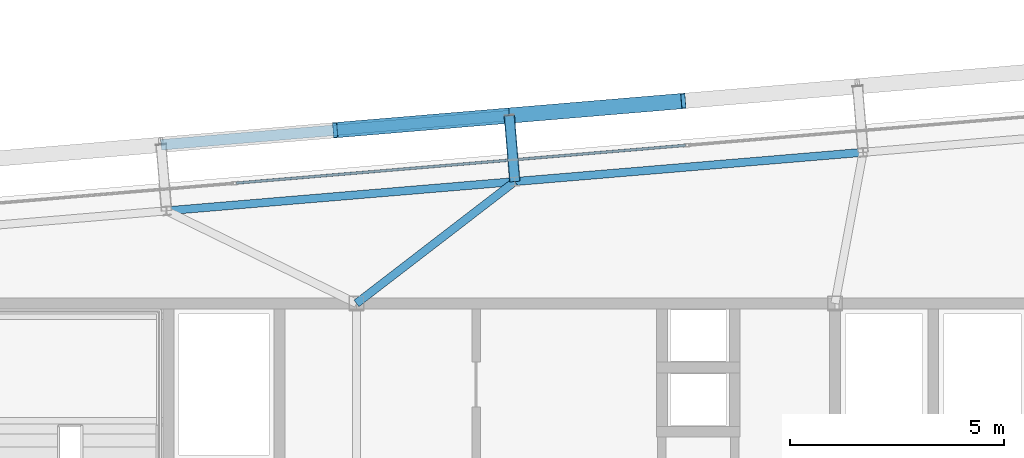
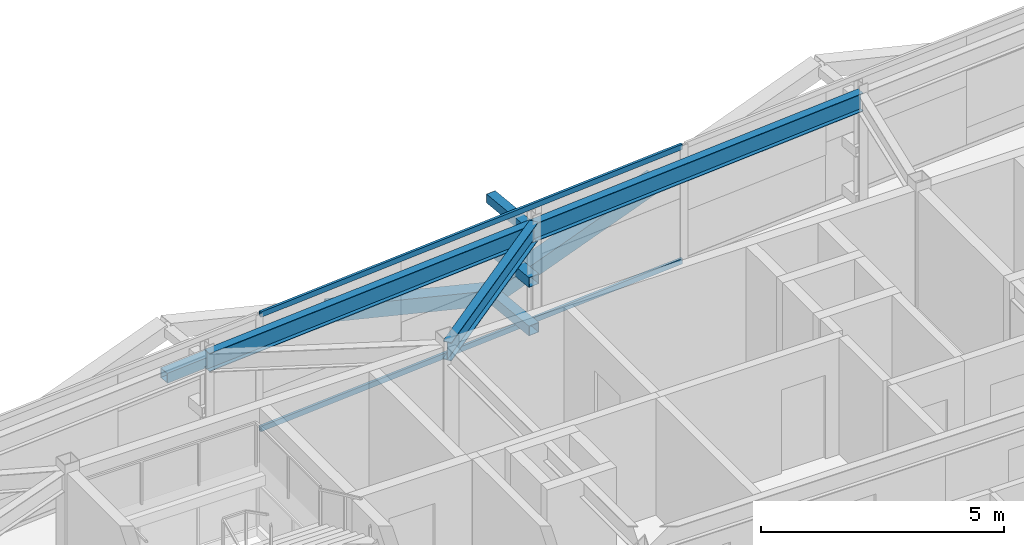
# One storey, part 22 of 39: 8 members, 3 beams, 1 element without a shape of its own.
"""IFC4 building model written with IfcOpenShell, lengths in metres."""

from ifc_helpers import new_model, si_unit, direction, frame, origin, origin_2d, place, context, subcontext, project, spatial, hollow_rectangle, i_section, extrude, source, transform, mapped, material, layer, layer_set, material_profile, profile_set, type_object, element, aggregate, save


model = new_model("IFC4")

# Units and contexts
model_context = context("Model", 3, precision=1e-05, world=origin(), true_north=direction((0.0, 1.0)))
body_context = subcontext(model_context, "Body", "Model", "MODEL_VIEW")
ifc_project = project(units=[si_unit("LENGTHUNIT", "METRE"), si_unit("AREAUNIT", "SQUARE_METRE"), si_unit("VOLUMEUNIT", "CUBIC_METRE"), si_unit("PLANEANGLEUNIT", "RADIAN"), si_unit("MASSUNIT", "GRAM", prefix="KILO")], contexts=[model_context])

# Site, building, storey
site_placement = place(None, origin())
site = spatial("IfcSite", under=ifc_project, at=site_placement, CompositionType="ELEMENT")
building_placement = place(site_placement, origin())
building = spatial("IfcBuilding", under=site, at=building_placement, Name="Taldren Reach Tower", CompositionType="ELEMENT")
storey_placement = place(building_placement, frame((0.0, 0.0, 178.85009765625)))
storey = spatial("IfcBuildingStorey", under=building, at=storey_placement, Name="L54", CompositionType="ELEMENT", Elevation=178.85009765625)

# Members
ifc_material_1 = material(Name="Steel Gr 350 (C350L0)", Category="steel")
ifc_material_profile_1 = material_profile(ifc_material_1, hollow_rectangle(XDim=0.25, YDim=0.25, WallThickness=0.010009765625, at=origin_2d()), Name="250x250x10.0SHS")
ifc_profile_set_1 = profile_set([ifc_material_profile_1], Name="Steel Gr 350 (C350L0)")
member_type_1 = type_object("IfcMemberType", Name="MB-POST250", PredefinedType="POST", material=ifc_profile_set_1)
shared_shape_1 = source(origin(), body_context, "Body", "SweptSolid", [
    extrude(hollow_rectangle(XDim=0.25, YDim=0.25, WallThickness=0.010009765625, at=origin_2d()), origin(), (0.0, 0.0, 1.0), 1.5498046875),
])
for number, where, z_axis, x_axis, name in (
    (1, (31.706298828125, 34.8525390625, 0.219970703125), (-0.083645141657, 0.996495604746, 0.0), (-0.996495604746, -0.083645141657, 0.0), "Exoskeleton base diaphragm tie strut B4-N3 L54"),
    (2, (31.706298828125, 34.8525390625, 1.434814453125), (-0.083645141657, 0.996495604746, 0.0), (-0.996495604746, -0.083645141657, 0.0), "Exoskeleton mid-tier diaphragm tie B4-N3 L54"),
):
    element("IfcMember", number, at=place(storey_placement, frame(where, z_axis=z_axis, x_axis=x_axis)), inside=storey, type_object=member_type_1, Name=name, PredefinedType="POST", context=body_context, shape_type="MappedRepresentation", body=[
        mapped(shared_shape_1, transform((0.0, 0.0, 0.0), scale=1.0)),
    ])

# Beams
ifc_material_2 = material(Name="Steel Gr 350 (350PLUS)", Category="steel")
ifc_material_profile_2 = material_profile(ifc_material_2, i_section(OverallWidth=0.18994140625, OverallDepth=0.4541015625, WebThickness=0.008544921875, FlangeThickness=0.0126953125, at=origin_2d()), Name="460UB67.1")
ifc_profile_set_2 = profile_set([ifc_material_profile_2], Name="Steel Gr 350 (350PLUS)")
beam_type_1 = type_object("IfcBeamType", Name="SP-UB460B", PredefinedType="SPANDREL", material=ifc_profile_set_2)
shared_shape_2 = source(origin(), body_context, "Body", "SweptSolid", [
    extrude(i_section(OverallWidth=0.18994140625, OverallDepth=0.4541015625, WebThickness=0.008544921875, FlangeThickness=0.0126953125, at=origin_2d()), origin(), (0.0, 0.0, 1.0), 8.18017578125),
])
beam_1_placement = place(storey_placement, frame((39.857666015625, 35.537109375, 2.702880859375), z_axis=(-0.996492034688, -0.083687662192, 0.0), x_axis=(0.083687662192, -0.996492034688, 0.0)))
element("IfcBeam", 3, at=beam_1_placement, inside=storey, type_object=beam_type_1, Name="Perimeter spandrel B4 N4-N3 L54", PredefinedType="SPANDREL", context=body_context, shape_type="MappedRepresentation", body=[
    mapped(shared_shape_2, transform((0.0, 0.0, 0.0), scale=1.0)),
])
shared_shape_3 = source(origin(), body_context, "Body", "SweptSolid", [
    extrude(i_section(OverallWidth=0.18994140625, OverallDepth=0.4541015625, WebThickness=0.008544921875, FlangeThickness=0.0126953125, at=origin_2d()), origin(), (0.0, 0.0, 1.0), 8.179931640625),
])
beam_2_placement = place(storey_placement, frame((31.706298828125, 34.8525390625, 2.702880859375), z_axis=(-0.99649182565, -0.08369015123, 0.0), x_axis=(0.08369015123, -0.99649182565, 0.0)))
element("IfcBeam", 4, at=beam_2_placement, inside=storey, type_object=beam_type_1, Name="Perimeter spandrel B4 N3-N2 L54", PredefinedType="SPANDREL", context=body_context, shape_type="MappedRepresentation", body=[
    mapped(shared_shape_3, transform((0.0, 0.0, 0.0), scale=1.0)),
])
ifc_material_profile_3 = material_profile(ifc_material_2, i_section(OverallWidth=0.19091796875, OverallDepth=0.4599609375, WebThickness=0.010009765625, FlangeThickness=0.01611328125, at=origin_2d()), Name="460UB82.1")
ifc_profile_set_3 = profile_set([ifc_material_profile_3], Name="Steel Gr 350 (350PLUS)")
beam_type_2 = type_object("IfcBeamType", Name="BM-UB460A", PredefinedType="BEAM", material=ifc_profile_set_3)
shared_shape_4 = source(origin(), body_context, "Body", "SweptSolid", [
    extrude(i_section(OverallWidth=0.19091796875, OverallDepth=0.4599609375, WebThickness=0.010009765625, FlangeThickness=0.01611328125, at=origin_2d()), origin(), (0.0, 0.0, 1.0), 4.677001953125),
])
beam_3_placement = place(storey_placement, frame((28.0, 32.0, 2.699951171875), z_axis=(0.792464836093, 0.609917603907, 0.0), x_axis=(-0.609917603907, 0.792464836093, 0.0)))
element("IfcBeam", 5, at=beam_3_placement, inside=storey, type_object=beam_type_2, Name="Primary floor girder B4-N3 L54", PredefinedType="BEAM", context=body_context, shape_type="MappedRepresentation", body=[
    mapped(shared_shape_4, transform((0.0, 0.0, 0.0), scale=1.0)),
])

# Members
ifc_material_3 = material(Name="Steel Gr 450 (C450L0)", Category="steel")
ifc_material_profile_4 = material_profile(ifc_material_3, hollow_rectangle(XDim=0.219970703125, YDim=0.219970703125, WallThickness=0.00830078125, at=origin_2d()), Name="220x220x8.2SHS")
ifc_profile_set_4 = profile_set([ifc_material_profile_4], Name="Steel Gr 450 (C450L0)")
member_type_2 = type_object("IfcMemberType", Name="MB-TIE219", PredefinedType="STRUT", material=ifc_profile_set_4)
shared_shape_5 = source(origin(), body_context, "Body", "SweptSolid", [
    extrude(hollow_rectangle(XDim=0.219970703125, YDim=0.219970703125, WallThickness=0.00830078125, at=origin_2d()), origin(), (0.0, 0.0, 1.0), 1.5498046875),
])
member_1_placement = place(storey_placement, frame((31.706298828125, 34.8525390625, 2.64990234375), z_axis=(-0.083645141657, 0.996495604746, 0.0), x_axis=(-0.996495604746, -0.083645141657, 0.0)))
element("IfcMember", 6, at=member_1_placement, inside=storey, type_object=member_type_2, Name="Exoskeleton diaphragm tie strut B4-N3 L54", PredefinedType="STRUT", context=body_context, shape_type="MappedRepresentation", body=[
    mapped(shared_shape_5, transform((0.0, 0.0, 0.0), scale=1.0)),
])
shared_shape_6 = source(origin(), body_context, "Body", "SweptSolid", [
    extrude(hollow_rectangle(XDim=0.25, YDim=0.25, WallThickness=0.010009765625, at=origin_2d()), origin(), (0.0, 0.0, 1.0), 8.179931640625),
])
member_2_placement = place(storey_placement, frame((23.42529296875, 35.712646484375, 1.434814453125), z_axis=(0.996494523218, 0.083658025296, 0.0), x_axis=(-0.083658025296, 0.996494523218, 0.0)))
element("IfcMember", 7, at=member_2_placement, inside=storey, type_object=member_type_1, Name="Exoskeleton mid-height ring chord B4-N2 L54", PredefinedType="POST", context=body_context, shape_type="MappedRepresentation", body=[
    mapped(shared_shape_6, transform((0.0, 0.0, 0.0), scale=1.0)),
])
ifc_material_profile_5 = material_profile(ifc_material_3, hollow_rectangle(XDim=0.360107421875, YDim=0.360107421875, WallThickness=0.0126953125, at=origin_2d()), Name="360x360x12.7SHS")
ifc_profile_set_5 = profile_set([ifc_material_profile_5], Name="Steel Gr 450 (C450L0)")
member_type_3 = type_object("IfcMemberType", Name="MB-EXO356", PredefinedType="BRACE", material=ifc_profile_set_5)
shared_shape_7 = source(origin(), body_context, "Body", "SweptSolid", [
    extrude(hollow_rectangle(XDim=0.360107421875, YDim=0.360107421875, WallThickness=0.0126953125, at=origin_2d()), origin(), (0.0, 0.0, 1.0), 4.2666015625),
])
for number, where, z_axis, x_axis, name in (
    (8, (31.57666015625, 36.39697265625, 0.219970703125), (-0.955249107127, -0.080166766448, 0.284732212595), (0.083628388178, -0.996497010879, 0.0), "Exoskeleton Diagrid Brace B4-N2 L54"),
    (9, (31.57666015625, 36.39697265625, 0.219970703125), (0.955244723646, 0.080223619417, 0.284730906006), (-0.083687662192, 0.996492034688, 0.0), "Exoskeleton Diagrid Brace B4-N3 L54"),
):
    element("IfcMember", number, at=place(storey_placement, frame(where, z_axis=z_axis, x_axis=x_axis)), inside=storey, type_object=member_type_3, Name=name, PredefinedType="BRACE", context=body_context, shape_type="MappedRepresentation", body=[
        mapped(shared_shape_7, transform((0.0, 0.0, 0.0), scale=1.0)),
    ])

# Curtain wall, members
ifc_material_4 = material(Name="Aluminium and Low-E Glass Unitised System", Category="aluminium")
ifc_layer = layer(ifc_material_4, 0.159912109375)
ifc_layer_set = layer_set([ifc_layer], Name="Aluminium and Low-E Glass Unitised System")
curtain_wall_type = type_object("IfcCurtainWallType", Name="CW-SYS-5", PredefinedType="NOTDEFINED", material=ifc_layer_set)
curtain_wall_placement = place(storey_placement, origin())
curtain_wall = element("IfcCurtainWall", 10, at=curtain_wall_placement, inside=storey, type_object=curtain_wall_type, Name="Unitised curtain wall CW-L54-N", PredefinedType="NOTDEFINED")
ifc_material_5 = material(Name="Anodised Aluminium 6063-T6", Category="aluminium")
ifc_material_profile_6 = material_profile(ifc_material_5, hollow_rectangle(XDim=0.06005859375, YDim=0.135009765625, WallThickness=0.00341796875, at=origin_2d()), Name="ALU-135x60x3.5RHS")
ifc_profile_set_6 = profile_set([ifc_material_profile_6], Name="Anodised Aluminium 6063-T6")
member_type_4 = type_object("IfcMemberType", Name="CW-TRN-150", PredefinedType="USERDEFINED", material=ifc_profile_set_6)
shared_shape_8 = source(origin(), body_context, "Body", "SweptSolid", [
    extrude(hollow_rectangle(XDim=0.06005859375, YDim=0.135009765625, WallThickness=0.00341796875, at=origin_2d()), origin(), (0.0, 0.0, 1.0), 10.55517578125),
])
member_3_placement = place(storey_placement, frame((35.70458984375, 35.699951171875, 0.02978515625), z_axis=(-0.996494202684, -0.083661843255, 0.0), x_axis=(0.083661843255, -0.996494202684, 0.0)))
member_3 = element("IfcMember", 11, at=member_3_placement, type_object=member_type_4, Name="CW-5 transom 3.1", ObjectType="TRANSOM", PredefinedType="USERDEFINED", context=body_context, shape_type="MappedRepresentation", body=[
    mapped(shared_shape_8, transform((0.0, 0.0, 0.0), scale=1.0)),
])
member_4_placement = place(storey_placement, frame((35.70458984375, 35.699951171875, 2.89990234375), z_axis=(-0.996494202684, -0.083661843255, 0.0), x_axis=(0.083661843255, -0.996494202684, 0.0)))
member_4 = element("IfcMember", 12, at=member_4_placement, type_object=member_type_4, Name="CW-5 transom 3.2", ObjectType="TRANSOM", PredefinedType="USERDEFINED", context=body_context, shape_type="MappedRepresentation", body=[
    mapped(shared_shape_8, transform((0.0, 0.0, 0.0), scale=1.0)),
])
aggregate(curtain_wall, [member_3, member_4])

save(model, "model.ifc")
